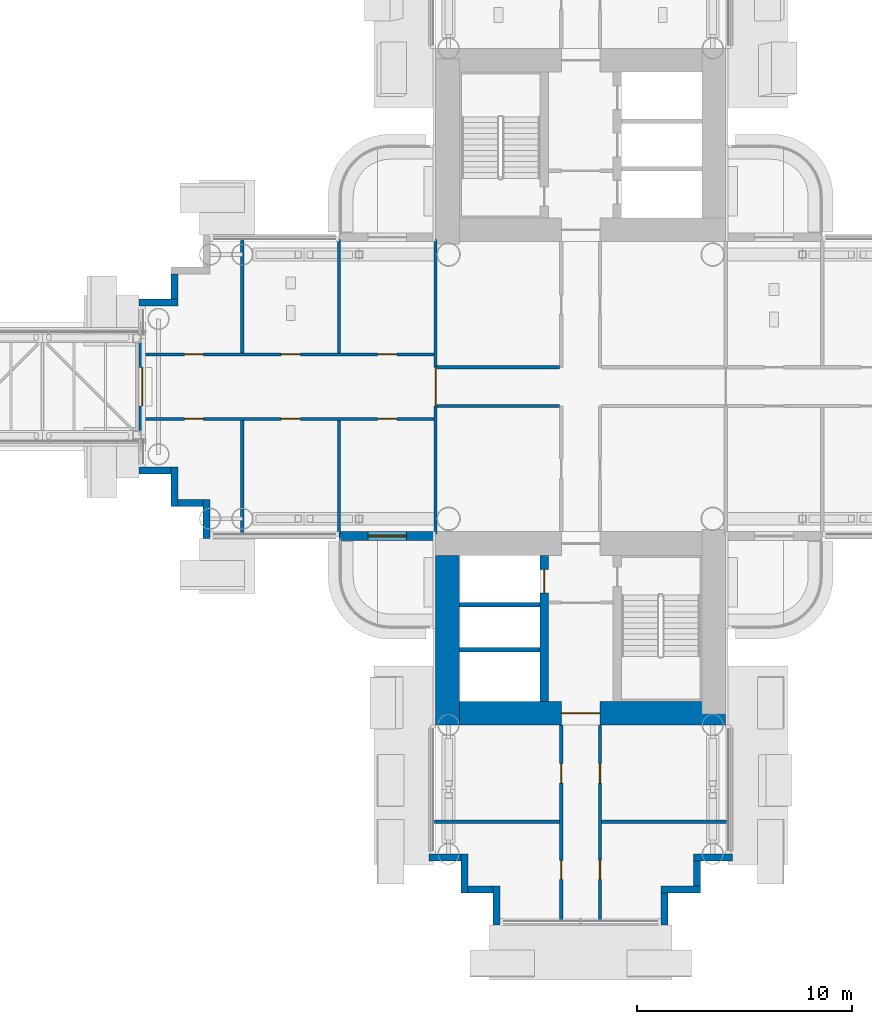
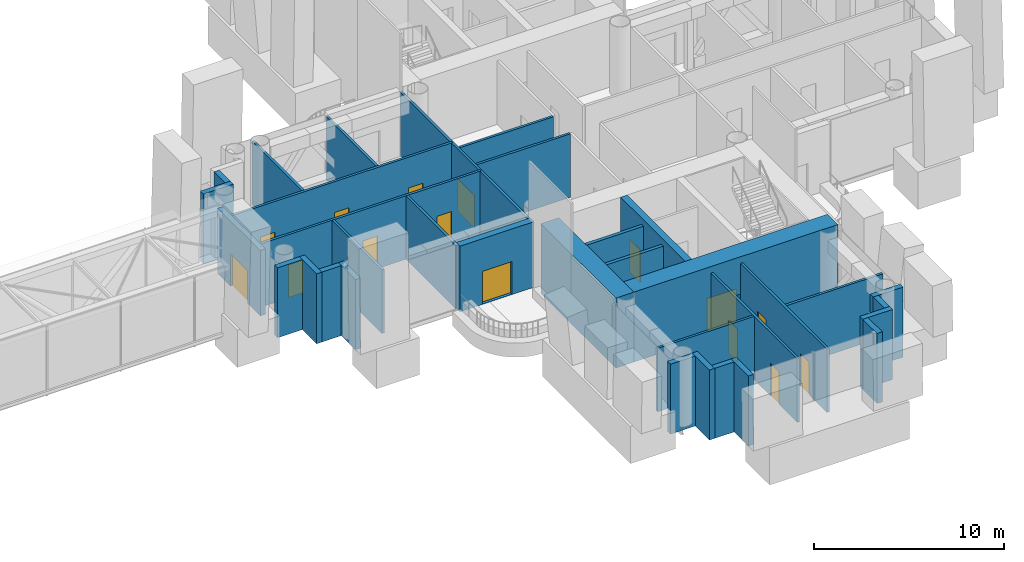
# One storey, part 16 of 27: 34 walls, 15 doors, 15 openings.
"""IFC4 building model written with IfcOpenShell, lengths in metres."""

from ifc_helpers import new_model, si_unit, direction, frame, frame_2d, origin, place, context, subcontext, project, spatial, rectangle, extrude, material, layer, layer_set, type_object, element, fill, save


model = new_model("IFC4")

# Units and contexts
model_context = context("Model", 3, precision=1e-05, world=origin(), true_north=direction((0.0, 1.0)))
body_context = subcontext(model_context, "Body", "Model", "MODEL_VIEW")
ifc_project = project(units=[si_unit("LENGTHUNIT", "METRE"), si_unit("AREAUNIT", "SQUARE_METRE"), si_unit("VOLUMEUNIT", "CUBIC_METRE"), si_unit("PLANEANGLEUNIT", "RADIAN"), si_unit("MASSUNIT", "GRAM", prefix="KILO")], contexts=[model_context])

# Site, building, storey
site_placement = place(None, origin())
site = spatial("IfcSite", under=ifc_project, at=site_placement, CompositionType="ELEMENT")
building_placement = place(site_placement, origin())
building = spatial("IfcBuilding", under=site, at=building_placement, Name="Ipe Terrace Towers", CompositionType="ELEMENT")
storey_placement = place(building_placement, frame((0.0, 0.0, 72.10009765625)))
storey = spatial("IfcBuildingStorey", under=building, at=storey_placement, Name="L19", CompositionType="ELEMENT", Elevation=72.10009765625)

# Wall, opening, door
ifc_material_1 = material(Name="Concrete C40/50 with buff precast cladding", Category="concrete")
ifc_layer_1 = layer(ifc_material_1, 0.39990234375)
ifc_layer_set_1 = layer_set([ifc_layer_1], Name="BALCONY BAY WALL 400")
wall_type_1 = type_object("IfcWallType", Name="BALCONY BAY WALL 400", PredefinedType="STANDARD", material=ifc_layer_set_1)
wall_1_placement = place(storey_placement, frame((24.75, -6.949951171875, -0.02001953125), z_axis=(0.0, 0.0, 1.0), x_axis=(1.0, 0.0, 0.0)))
wall_1 = element("IfcWall", 1, at=wall_1_placement, inside=storey, type_object=wall_type_1, Name="T2-W-L19-44a wall", PredefinedType="STANDARD", context=body_context, shape_type="SweptSolid", body=[
    extrude(rectangle(XDim=4.5, YDim=0.39990234375, at=frame_2d((2.25, 0.0))), origin(), (0.0, 0.0, 1.0), 4.219970703125),
])
opening_1_placement = place(wall_1_placement, frame((1.35009765625, 0.0, 0.02001953125)))
opening_1 = element("IfcOpeningElement", 2, at=opening_1_placement, cuts=wall_1, Name="Opening T2-D-L19-44", PredefinedType="OPENING", context=body_context, shape_type="SweptSolid", body=[
    extrude(rectangle(XDim=1.800048828125, YDim=2.10009765625, at=frame_2d((0.89990234375, 1.050048828125))), frame((0.0, 0.2099609375, 0.0), z_axis=(0.0, -1.0, 0.0), x_axis=(1.0, 0.0, 0.0)), (0.0, 0.0, 1.0), 0.419921875),
])
ifc_material_2 = material(Name="Aluminium alloy 6063-T6 framed glazed door", Category="aluminium")
door_type_1 = type_object("IfcDoorType", Name="BALCONY DOOR 1800 x 2100 RIGHT", OperationType="SINGLE_SWING_RIGHT", PredefinedType="DOOR", material=ifc_material_2)
door_1_placement = place(opening_1_placement, origin())
door_1 = element("IfcDoor", 3, at=door_1_placement, inside=storey, type_object=door_type_1, Name="DB2 door", OperationType="SINGLE_SWING_RIGHT", OverallHeight=2.10009765625, OverallWidth=1.800048828125, PredefinedType="DOOR", context=body_context, shape_type="SweptSolid", body=[
    extrude(rectangle(XDim=1.800048828125, YDim=2.10009765625, at=frame_2d((0.89990234375, 1.050048828125))), frame((0.0, 0.02490234375, 0.0), z_axis=(0.0, -1.0, 0.0), x_axis=(1.0, 0.0, 0.0)), (0.0, 0.0, 1.0), 0.050048828125),
])
fill(opening_1, door_1)

# Walls
ifc_material_3 = material(Name="Concrete C40/50 with buff precast cladding", Category="concrete")
ifc_layer_2 = layer(ifc_material_3, 0.320068359375)
ifc_layer_set_2 = layer_set([ifc_layer_2], Name="BUFF CLADDING WALL 320")
wall_type_2 = type_object("IfcWallType", Name="BUFF CLADDING WALL 320", PredefinedType="STANDARD", material=ifc_layer_set_2)
wall_2_placement = place(storey_placement, frame((39.909912109375, -25.070068359375, -0.300048828125), z_axis=(0.0, 0.0, 1.0), x_axis=(0.0, 1.0, 0.0)))
element("IfcWall", 4, at=wall_2_placement, inside=storey, type_object=wall_type_2, Name="T2-W-L19-00a wall", PredefinedType="STANDARD", context=body_context, shape_type="SweptSolid", body=[
    extrude(rectangle(XDim=1.5, YDim=0.320068359375, at=frame_2d((0.75, 0.0))), origin(), (0.0, 0.0, 1.0), 4.5),
])
wall_3_placement = place(storey_placement, frame((39.75, -23.409912109375, -0.300048828125), z_axis=(0.0, 0.0, 1.0), x_axis=(1.0, 0.0, 0.0)))
element("IfcWall", 5, at=wall_3_placement, inside=storey, type_object=wall_type_2, Name="T2-W-L19-01a wall", PredefinedType="STANDARD", context=body_context, shape_type="SweptSolid", body=[
    extrude(rectangle(XDim=1.820068359375, YDim=0.320068359375, at=frame_2d((0.91015625, 0.0))), origin(), (0.0, 0.0, 1.0), 4.5),
])
wall_4_placement = place(storey_placement, frame((41.409912109375, -23.25, -0.300048828125), z_axis=(0.0, 0.0, 1.0), x_axis=(0.0, 1.0, 0.0)))
element("IfcWall", 6, at=wall_4_placement, inside=storey, type_object=wall_type_2, Name="T2-W-L19-02a wall", PredefinedType="STANDARD", context=body_context, shape_type="SweptSolid", body=[
    extrude(rectangle(XDim=1.179931640625, YDim=0.320068359375, at=frame_2d((0.58984375, 0.0))), origin(), (0.0, 0.0, 1.0), 4.5),
])
wall_5_placement = place(storey_placement, frame((41.25, -21.909912109375, -0.300048828125), z_axis=(0.0, 0.0, 1.0), x_axis=(1.0, 0.0, 0.0)))
element("IfcWall", 7, at=wall_5_placement, inside=storey, type_object=wall_type_2, Name="T2-W-L19-03a wall", PredefinedType="STANDARD", context=body_context, shape_type="SweptSolid", body=[
    extrude(rectangle(XDim=1.820068359375, YDim=0.320068359375, at=frame_2d((0.91015625, 0.0))), origin(), (0.0, 0.0, 1.0), 4.5),
])
wall_6_placement = place(storey_placement, frame((17.090087890625, 5.25, -0.300048828125), z_axis=(0.0, 0.0, 1.0), x_axis=(0.0, -1.0, 0.0)))
element("IfcWall", 8, at=wall_6_placement, inside=storey, type_object=wall_type_2, Name="T2-W-L19-36a wall", PredefinedType="STANDARD", context=body_context, shape_type="SweptSolid", body=[
    extrude(rectangle(XDim=1.179931640625, YDim=0.320068359375, at=frame_2d((0.58984375, 0.0))), origin(), (0.0, 0.0, 1.0), 4.5),
])
wall_7_placement = place(storey_placement, frame((17.25, 3.909912109375, -0.300048828125), z_axis=(0.0, 0.0, 1.0), x_axis=(-1.0, 0.0, 0.0)))
element("IfcWall", 9, at=wall_7_placement, inside=storey, type_object=wall_type_2, Name="T2-W-L19-37a wall", PredefinedType="STANDARD", context=body_context, shape_type="SweptSolid", body=[
    extrude(rectangle(XDim=1.820068359375, YDim=0.320068359375, at=frame_2d((0.91015625, 0.0))), origin(), (0.0, 0.0, 1.0), 4.5),
])

# Wall, opening, door
wall_8_placement = place(storey_placement, frame((15.590087890625, 2.25, 0.0), z_axis=(0.0, 0.0, 1.0), x_axis=(0.0, -1.0, 0.0)))
wall_8 = element("IfcWall", 10, at=wall_8_placement, inside=storey, type_object=wall_type_2, Name="T2-W-L19-38b wall", PredefinedType="STANDARD", context=body_context, shape_type="SweptSolid", body=[
    extrude(rectangle(XDim=4.5, YDim=0.320068359375, at=frame_2d((2.25, 0.0))), origin(), (0.0, 0.0, 1.0), 4.199951171875),
])
opening_2_placement = place(wall_8_placement, frame((1.35009765625, 0.0, 0.0)))
opening_2 = element("IfcOpeningElement", 11, at=opening_2_placement, cuts=wall_8, Name="Opening T2-D-L19-38", PredefinedType="OPENING", context=body_context, shape_type="SweptSolid", body=[
    extrude(rectangle(XDim=1.800048828125, YDim=2.10009765625, at=frame_2d((0.89990234375, 1.050048828125))), frame((0.0, 0.169921875, 0.0), z_axis=(0.0, -1.0, 0.0), x_axis=(1.0, 0.0, 0.0)), (0.0, 0.0, 1.0), 0.340087890625),
])
ifc_material_4 = material(Name="Steel S235 fire door", Category="steel")
door_type_2 = type_object("IfcDoorType", Name="BRIDGE FIRE DOOR 1800 x 2100", OperationType="DOUBLE_DOOR_SINGLE_SWING", PredefinedType="DOOR", material=ifc_material_4)
door_2_placement = place(opening_2_placement, origin())
door_2 = element("IfcDoor", 12, at=door_2_placement, inside=storey, type_object=door_type_2, Name="DF1 door", OperationType="DOUBLE_DOOR_SINGLE_SWING", OverallHeight=2.10009765625, OverallWidth=1.800048828125, PredefinedType="DOOR", context=body_context, shape_type="SweptSolid", body=[
    extrude(rectangle(XDim=1.800048828125, YDim=2.10009765625, at=frame_2d((0.89990234375, 1.050048828125))), frame((0.0, 0.02490234375, 0.0), z_axis=(0.0, -1.0, 0.0), x_axis=(1.0, 0.0, 0.0)), (0.0, 0.0, 1.0), 0.050048828125),
])
fill(opening_2, door_2)

# Walls
wall_9_placement = place(storey_placement, frame((15.429931640625, -3.909912109375, -0.300048828125), z_axis=(0.0, 0.0, 1.0), x_axis=(1.0, 0.0, 0.0)))
element("IfcWall", 13, at=wall_9_placement, inside=storey, type_object=wall_type_2, Name="T2-W-L19-39a wall", PredefinedType="STANDARD", context=body_context, shape_type="SweptSolid", body=[
    extrude(rectangle(XDim=1.5, YDim=0.320068359375, at=frame_2d((0.75, 0.0))), origin(), (0.0, 0.0, 1.0), 4.5),
])
wall_10_placement = place(storey_placement, frame((17.090087890625, -3.75, -0.300048828125), z_axis=(0.0, 0.0, 1.0), x_axis=(0.0, -1.0, 0.0)))
element("IfcWall", 14, at=wall_10_placement, inside=storey, type_object=wall_type_2, Name="T2-W-L19-40a wall", PredefinedType="STANDARD", context=body_context, shape_type="SweptSolid", body=[
    extrude(rectangle(XDim=1.820068359375, YDim=0.320068359375, at=frame_2d((0.91015625, 0.0))), origin(), (0.0, 0.0, 1.0), 4.5),
])
wall_11_placement = place(storey_placement, frame((17.25, -5.409912109375, -0.300048828125), z_axis=(0.0, 0.0, 1.0), x_axis=(1.0, 0.0, 0.0)))
element("IfcWall", 15, at=wall_11_placement, inside=storey, type_object=wall_type_2, Name="T2-W-L19-41a wall", PredefinedType="STANDARD", context=body_context, shape_type="SweptSolid", body=[
    extrude(rectangle(XDim=1.179931640625, YDim=0.320068359375, at=frame_2d((0.58984375, 0.0))), origin(), (0.0, 0.0, 1.0), 4.5),
])
wall_12_placement = place(storey_placement, frame((18.590087890625, -5.25, -0.300048828125), z_axis=(0.0, 0.0, 1.0), x_axis=(0.0, -1.0, 0.0)))
element("IfcWall", 16, at=wall_12_placement, inside=storey, type_object=wall_type_2, Name="T2-W-L19-42a wall", PredefinedType="STANDARD", context=body_context, shape_type="SweptSolid", body=[
    extrude(rectangle(XDim=1.820068359375, YDim=0.320068359375, at=frame_2d((0.91015625, 0.0))), origin(), (0.0, 0.0, 1.0), 4.5),
])
wall_13_placement = place(storey_placement, frame((28.929931640625, -21.909912109375, -0.300048828125), z_axis=(0.0, 0.0, 1.0), x_axis=(1.0, 0.0, 0.0)))
element("IfcWall", 17, at=wall_13_placement, inside=storey, type_object=wall_type_2, Name="T2-W-L19-47a wall", PredefinedType="STANDARD", context=body_context, shape_type="SweptSolid", body=[
    extrude(rectangle(XDim=1.5, YDim=0.320068359375, at=frame_2d((0.75, 0.0))), origin(), (0.0, 0.0, 1.0), 4.5),
])
wall_14_placement = place(storey_placement, frame((30.590087890625, -21.75, -0.300048828125), z_axis=(0.0, 0.0, 1.0), x_axis=(0.0, -1.0, 0.0)))
element("IfcWall", 18, at=wall_14_placement, inside=storey, type_object=wall_type_2, Name="T2-W-L19-48a wall", PredefinedType="STANDARD", context=body_context, shape_type="SweptSolid", body=[
    extrude(rectangle(XDim=1.820068359375, YDim=0.320068359375, at=frame_2d((0.91015625, 0.0))), origin(), (0.0, 0.0, 1.0), 4.5),
])
wall_15_placement = place(storey_placement, frame((30.75, -23.409912109375, -0.300048828125), z_axis=(0.0, 0.0, 1.0), x_axis=(1.0, 0.0, 0.0)))
element("IfcWall", 19, at=wall_15_placement, inside=storey, type_object=wall_type_2, Name="T2-W-L19-49a wall", PredefinedType="STANDARD", context=body_context, shape_type="SweptSolid", body=[
    extrude(rectangle(XDim=1.179931640625, YDim=0.320068359375, at=frame_2d((0.58984375, 0.0))), origin(), (0.0, 0.0, 1.0), 4.5),
])
wall_16_placement = place(storey_placement, frame((32.090087890625, -23.25, -0.300048828125), z_axis=(0.0, 0.0, 1.0), x_axis=(0.0, -1.0, 0.0)))
element("IfcWall", 20, at=wall_16_placement, inside=storey, type_object=wall_type_2, Name="T2-W-L19-50a wall", PredefinedType="STANDARD", context=body_context, shape_type="SweptSolid", body=[
    extrude(rectangle(XDim=1.820068359375, YDim=0.320068359375, at=frame_2d((0.91015625, 0.0))), origin(), (0.0, 0.0, 1.0), 4.5),
])
ifc_material_5 = material(Name="Gypsum board partition", Category="plasterboard")
ifc_layer_3 = layer(ifc_material_5, 0.14990234375)
ifc_layer_set_3 = layer_set([ifc_layer_3], Name="Gypsum board partition 150 mm")
wall_type_3 = type_object("IfcWallType", Name="Gypsum board partition 150 mm", PredefinedType="PARTITIONING", material=ifc_layer_set_3)
for number, where, z_axis, x_axis, name in (
    (21, (35.02490234375, 0.89990234375, 0.0), (0.0, 0.0, 1.0), (-1.0, 0.0, 0.0), "Gypsum board partition T2 L19 sp-hub-qen-y"),
    (22, (35.02490234375, -0.89990234375, 0.0), (0.0, 0.0, 1.0), (-1.0, 0.0, 0.0), "Gypsum board partition T2 L19 sp-hub-qwn-y"),
):
    element("IfcWall", number, at=place(storey_placement, frame(where, z_axis=z_axis, x_axis=x_axis)), inside=storey, type_object=wall_type_3, Name=name, PredefinedType="PARTITIONING", context=body_context, shape_type="SweptSolid", body=[
        extrude(rectangle(XDim=5.699951171875, YDim=0.14990234375, at=frame_2d((2.85009765625, 0.0))), origin(), (0.0, 0.0, 1.0), 4.079833984375),
    ])

# Wall, openings, doors
wall_17_placement = place(storey_placement, frame((35.10009765625, -24.85009765625, 0.0), z_axis=(0.0, 0.0, 1.0), x_axis=(0.0, 1.0, 0.0)))
wall_17 = element("IfcWall", 23, at=wall_17_placement, inside=storey, type_object=wall_type_3, Name="Gypsum board partition T2 L19 sp-Lm-wp", PredefinedType="PARTITIONING", context=body_context, shape_type="SweptSolid", body=[
    extrude(rectangle(XDim=9.10009765625, YDim=0.14990234375, at=frame_2d((4.550048828125, 0.0))), origin(), (0.0, 0.0, 1.0), 4.079833984375),
])
opening_3_placement = place(wall_17_placement, frame((1.89990234375, 0.0, 0.0)))
opening_3 = element("IfcOpeningElement", 24, at=opening_3_placement, cuts=wall_17, Name="Opening T2-SP-PLm1", PredefinedType="OPENING", context=body_context, shape_type="SweptSolid", body=[
    extrude(rectangle(XDim=0.89990234375, YDim=2.10009765625, at=frame_2d((0.449951171875, 1.050048828125))), frame((0.0, 0.0849609375, 0.0), z_axis=(0.0, -1.0, 0.0), x_axis=(1.0, 0.0, 0.0)), (0.0, 0.0, 1.0), 0.169921875),
])
opening_4_placement = place(wall_17_placement, frame((6.39990234375, 0.0, 0.0)))
opening_4 = element("IfcOpeningElement", 25, at=opening_4_placement, cuts=wall_17, Name="Opening T2-SP-PLm2", PredefinedType="OPENING", context=body_context, shape_type="SweptSolid", body=[
    extrude(rectangle(XDim=0.89990234375, YDim=2.10009765625, at=frame_2d((0.449951171875, 1.050048828125))), frame((0.0, 0.0849609375, 0.0), z_axis=(0.0, -1.0, 0.0), x_axis=(1.0, 0.0, 0.0)), (0.0, 0.0, 1.0), 0.169921875),
])
ifc_material_6 = material(Name="Fire-rated timber door leaf", Category="wood")
door_type_3 = type_object("IfcDoorType", Name="Lounge door 900 x 2100 FD30S", OperationType="NOTDEFINED", PredefinedType="DOOR", material=ifc_material_6)
door_3_placement = place(opening_3_placement, origin())
door_3 = element("IfcDoor", 26, at=door_3_placement, inside=storey, type_object=door_type_3, Name="Lounge door T2-SP-PLm1", OperationType="SINGLE_SWING_RIGHT", OverallHeight=2.10009765625, OverallWidth=0.89990234375, PredefinedType="DOOR", context=body_context, shape_type="SweptSolid", body=[
    extrude(rectangle(XDim=0.89990234375, YDim=2.10009765625, at=frame_2d((0.449951171875, 1.050048828125))), frame((0.0, 0.02490234375, 0.0), z_axis=(0.0, -1.0, 0.0), x_axis=(1.0, 0.0, 0.0)), (0.0, 0.0, 1.0), 0.050048828125),
])
fill(opening_3, door_3)
door_4_placement = place(opening_4_placement, origin())
door_4 = element("IfcDoor", 27, at=door_4_placement, inside=storey, type_object=door_type_3, Name="Lounge door T2-SP-PLm2", OperationType="SINGLE_SWING_LEFT", OverallHeight=2.10009765625, OverallWidth=0.89990234375, PredefinedType="DOOR", context=body_context, shape_type="SweptSolid", body=[
    extrude(rectangle(XDim=0.89990234375, YDim=2.10009765625, at=frame_2d((0.449951171875, 1.050048828125))), frame((0.0, 0.02490234375, 0.0), z_axis=(0.0, -1.0, 0.0), x_axis=(1.0, 0.0, 0.0)), (0.0, 0.0, 1.0), 0.050048828125),
])
fill(opening_4, door_4)

# Wall
wall_18_placement = place(storey_placement, frame((35.02490234375, -20.25, 0.0), z_axis=(0.0, 0.0, 1.0), x_axis=(-1.0, 0.0, 0.0)))
element("IfcWall", 28, at=wall_18_placement, inside=storey, type_object=wall_type_3, Name="Gypsum board partition T2 L19 sp-Lm-dp1", PredefinedType="PARTITIONING", context=body_context, shape_type="SweptSolid", body=[
    extrude(rectangle(XDim=5.875, YDim=0.14990234375, at=frame_2d((2.9375, 0.0))), origin(), (0.0, 0.0, 1.0), 4.079833984375),
])

# Wall, openings, doors
wall_19_placement = place(storey_placement, frame((36.89990234375, -24.85009765625, 0.0), z_axis=(0.0, 0.0, 1.0), x_axis=(0.0, 1.0, 0.0)))
wall_19 = element("IfcWall", 29, at=wall_19_placement, inside=storey, type_object=wall_type_3, Name="Gypsum board partition T2 L19 sp-Lm-wm", PredefinedType="PARTITIONING", context=body_context, shape_type="SweptSolid", body=[
    extrude(rectangle(XDim=9.10009765625, YDim=0.14990234375, at=frame_2d((4.550048828125, 0.0))), origin(), (0.0, 0.0, 1.0), 4.079833984375),
])
opening_5_placement = place(wall_19_placement, frame((1.89990234375, 0.0, 0.0)))
opening_5 = element("IfcOpeningElement", 30, at=opening_5_placement, cuts=wall_19, Name="Opening T2-SP-MLm1", PredefinedType="OPENING", context=body_context, shape_type="SweptSolid", body=[
    extrude(rectangle(XDim=0.89990234375, YDim=2.10009765625, at=frame_2d((0.449951171875, 1.050048828125))), frame((0.0, 0.0849609375, 0.0), z_axis=(0.0, -1.0, 0.0), x_axis=(1.0, 0.0, 0.0)), (0.0, 0.0, 1.0), 0.169921875),
])
opening_6_placement = place(wall_19_placement, frame((6.39990234375, 0.0, 0.0)))
opening_6 = element("IfcOpeningElement", 31, at=opening_6_placement, cuts=wall_19, Name="Opening T2-SP-MLm2", PredefinedType="OPENING", context=body_context, shape_type="SweptSolid", body=[
    extrude(rectangle(XDim=0.89990234375, YDim=2.10009765625, at=frame_2d((0.449951171875, 1.050048828125))), frame((0.0, 0.0849609375, 0.0), z_axis=(0.0, -1.0, 0.0), x_axis=(1.0, 0.0, 0.0)), (0.0, 0.0, 1.0), 0.169921875),
])
door_5_placement = place(opening_5_placement, origin())
door_5 = element("IfcDoor", 32, at=door_5_placement, inside=storey, type_object=door_type_3, Name="Lounge door T2-SP-MLm1", OperationType="SINGLE_SWING_LEFT", OverallHeight=2.10009765625, OverallWidth=0.89990234375, PredefinedType="DOOR", context=body_context, shape_type="SweptSolid", body=[
    extrude(rectangle(XDim=0.89990234375, YDim=2.10009765625, at=frame_2d((0.449951171875, 1.050048828125))), frame((0.0, 0.02490234375, 0.0), z_axis=(0.0, -1.0, 0.0), x_axis=(1.0, 0.0, 0.0)), (0.0, 0.0, 1.0), 0.050048828125),
])
fill(opening_5, door_5)
door_6_placement = place(opening_6_placement, origin())
door_6 = element("IfcDoor", 33, at=door_6_placement, inside=storey, type_object=door_type_3, Name="Lounge door T2-SP-MLm2", OperationType="SINGLE_SWING_RIGHT", OverallHeight=2.10009765625, OverallWidth=0.89990234375, PredefinedType="DOOR", context=body_context, shape_type="SweptSolid", body=[
    extrude(rectangle(XDim=0.89990234375, YDim=2.10009765625, at=frame_2d((0.449951171875, 1.050048828125))), frame((0.0, 0.02490234375, 0.0), z_axis=(0.0, -1.0, 0.0), x_axis=(1.0, 0.0, 0.0)), (0.0, 0.0, 1.0), 0.050048828125),
])
fill(opening_6, door_6)

# Wall
wall_20_placement = place(storey_placement, frame((36.97509765625, -20.25, 0.0), z_axis=(0.0, 0.0, 1.0), x_axis=(1.0, 0.0, 0.0)))
element("IfcWall", 34, at=wall_20_placement, inside=storey, type_object=wall_type_3, Name="Gypsum board partition T2 L19 sp-Lm-dm1", PredefinedType="PARTITIONING", context=body_context, shape_type="SweptSolid", body=[
    extrude(rectangle(XDim=5.875, YDim=0.14990234375, at=frame_2d((2.9375, 0.0))), origin(), (0.0, 0.0, 1.0), 4.079833984375),
])

# Wall, opening, door
wall_21_placement = place(storey_placement, frame((29.25, -6.85009765625, 0.0), z_axis=(0.0, 0.0, 1.0), x_axis=(0.0, 1.0, 0.0)))
wall_21 = element("IfcWall", 35, at=wall_21_placement, inside=storey, type_object=wall_type_3, Name="Gypsum board partition T2 L19 sp-Sp-mouth", PredefinedType="PARTITIONING", context=body_context, shape_type="SweptSolid", body=[
    extrude(rectangle(XDim=13.7001953125, YDim=0.14990234375, at=frame_2d((6.85009765625, 0.0))), origin(), (0.0, 0.0, 1.0), 4.079833984375),
])
opening_7_placement = place(wall_21_placement, frame((5.949951171875, 0.0, 0.0)))
opening_7 = element("IfcOpeningElement", 36, at=opening_7_placement, cuts=wall_21, Name="Opening T2-SP-MSp", PredefinedType="OPENING", context=body_context, shape_type="SweptSolid", body=[
    extrude(rectangle(XDim=1.800048828125, YDim=2.10009765625, at=frame_2d((0.89990234375, 1.050048828125))), frame((0.0, 0.0849609375, 0.0), z_axis=(0.0, -1.0, 0.0), x_axis=(1.0, 0.0, 0.0)), (0.0, 0.0, 1.0), 0.169921875),
])
ifc_material_7 = material(Name="Fire-rated timber door leaf", Category="wood")
door_type_4 = type_object("IfcDoorType", Name="Lobby door 1800 x 2100 FD30S", OperationType="NOTDEFINED", PredefinedType="DOOR", material=ifc_material_7)
door_7_placement = place(opening_7_placement, origin())
door_7 = element("IfcDoor", 37, at=door_7_placement, inside=storey, type_object=door_type_4, Name="Lobby door T2-SP-MSp", OperationType="SINGLE_SWING_LEFT", OverallHeight=2.10009765625, OverallWidth=1.800048828125, PredefinedType="DOOR", context=body_context, shape_type="SweptSolid", body=[
    extrude(rectangle(XDim=1.800048828125, YDim=2.10009765625, at=frame_2d((0.89990234375, 1.050048828125))), frame((0.0, 0.02490234375, 0.0), z_axis=(0.0, -1.0, 0.0), x_axis=(1.0, 0.0, 0.0)), (0.0, 0.0, 1.0), 0.050048828125),
])
fill(opening_7, door_7)

# Wall, openings, doors
wall_22_placement = place(storey_placement, frame((29.25, 1.5, 0.0), z_axis=(0.0, 0.0, 1.0), x_axis=(-1.0, 0.0, 0.0)))
wall_22 = element("IfcWall", 38, at=wall_22_placement, inside=storey, type_object=wall_type_3, Name="Gypsum board partition T2 L19 sp-Sp-wp", PredefinedType="PARTITIONING", context=body_context, shape_type="SweptSolid", body=[
    extrude(rectangle(XDim=13.60009765625, YDim=0.14990234375, at=frame_2d((6.800048828125, 0.0))), origin(), (0.0, 0.0, 1.0), 4.079833984375),
])
opening_8_placement = place(wall_22_placement, frame((1.800048828125, 0.0, 0.0)))
opening_8 = element("IfcOpeningElement", 39, at=opening_8_placement, cuts=wall_22, Name="Opening T2-SP-PSp1", PredefinedType="OPENING", context=body_context, shape_type="SweptSolid", body=[
    extrude(rectangle(XDim=0.89990234375, YDim=2.10009765625, at=frame_2d((0.449951171875, 1.050048828125))), frame((0.0, 0.0849609375, 0.0), z_axis=(0.0, -1.0, 0.0), x_axis=(1.0, 0.0, 0.0)), (0.0, 0.0, 1.0), 0.169921875),
])
opening_9_placement = place(wall_22_placement, frame((6.300048828125, 0.0, 0.0)))
opening_9 = element("IfcOpeningElement", 40, at=opening_9_placement, cuts=wall_22, Name="Opening T2-SP-PSp2", PredefinedType="OPENING", context=body_context, shape_type="SweptSolid", body=[
    extrude(rectangle(XDim=0.89990234375, YDim=2.10009765625, at=frame_2d((0.449951171875, 1.050048828125))), frame((0.0, 0.0849609375, 0.0), z_axis=(0.0, -1.0, 0.0), x_axis=(1.0, 0.0, 0.0)), (0.0, 0.0, 1.0), 0.169921875),
])
opening_10_placement = place(wall_22_placement, frame((10.800048828125, 0.0, 0.0)))
opening_10 = element("IfcOpeningElement", 41, at=opening_10_placement, cuts=wall_22, Name="Opening T2-SP-PSp3", PredefinedType="OPENING", context=body_context, shape_type="SweptSolid", body=[
    extrude(rectangle(XDim=0.89990234375, YDim=2.10009765625, at=frame_2d((0.449951171875, 1.050048828125))), frame((0.0, 0.0849609375, 0.0), z_axis=(0.0, -1.0, 0.0), x_axis=(1.0, 0.0, 0.0)), (0.0, 0.0, 1.0), 0.169921875),
])
ifc_material_8 = material(Name="Timber door leaf", Category="wood")
door_type_5 = type_object("IfcDoorType", Name="Lounge door 900 x 2100", OperationType="NOTDEFINED", PredefinedType="DOOR", material=ifc_material_8)
door_8_placement = place(opening_9_placement, origin())
door_8 = element("IfcDoor", 42, at=door_8_placement, inside=storey, type_object=door_type_5, Name="Lounge door T2-SP-PSp2", OperationType="SINGLE_SWING_RIGHT", OverallHeight=2.10009765625, OverallWidth=0.89990234375, PredefinedType="DOOR", context=body_context, shape_type="SweptSolid", body=[
    extrude(rectangle(XDim=0.89990234375, YDim=2.10009765625, at=frame_2d((0.449951171875, 1.050048828125))), frame((0.0, 0.02490234375, 0.0), z_axis=(0.0, -1.0, 0.0), x_axis=(1.0, 0.0, 0.0)), (0.0, 0.0, 1.0), 0.050048828125),
])
fill(opening_9, door_8)
door_9_placement = place(opening_8_placement, origin())
door_9 = element("IfcDoor", 43, at=door_9_placement, inside=storey, type_object=door_type_3, Name="Lounge door T2-SP-PSp1", OperationType="SINGLE_SWING_LEFT", OverallHeight=2.10009765625, OverallWidth=0.89990234375, PredefinedType="DOOR", context=body_context, shape_type="SweptSolid", body=[
    extrude(rectangle(XDim=0.89990234375, YDim=2.10009765625, at=frame_2d((0.449951171875, 1.050048828125))), frame((0.0, 0.02490234375, 0.0), z_axis=(0.0, -1.0, 0.0), x_axis=(1.0, 0.0, 0.0)), (0.0, 0.0, 1.0), 0.050048828125),
])
fill(opening_8, door_9)
door_10_placement = place(opening_10_placement, origin())
door_10 = element("IfcDoor", 44, at=door_10_placement, inside=storey, type_object=door_type_3, Name="Lounge door T2-SP-PSp3", OperationType="SINGLE_SWING_LEFT", OverallHeight=2.10009765625, OverallWidth=0.89990234375, PredefinedType="DOOR", context=body_context, shape_type="SweptSolid", body=[
    extrude(rectangle(XDim=0.89990234375, YDim=2.10009765625, at=frame_2d((0.449951171875, 1.050048828125))), frame((0.0, 0.02490234375, 0.0), z_axis=(0.0, -1.0, 0.0), x_axis=(1.0, 0.0, 0.0)), (0.0, 0.0, 1.0), 0.050048828125),
])
fill(opening_10, door_10)

# Walls
for number, where, z_axis, x_axis, name in (
    (45, (24.75, 1.574951171875, 0.0), (0.0, 0.0, 1.0), (0.0, 1.0, 0.0), "Gypsum board partition T2 L19 sp-Sp-dp1"),
    (46, (20.25, 1.574951171875, 0.0), (0.0, 0.0, 1.0), (0.0, 1.0, 0.0), "Gypsum board partition T2 L19 sp-Sp-dp2"),
):
    element("IfcWall", number, at=place(storey_placement, frame(where, z_axis=z_axis, x_axis=x_axis)), inside=storey, type_object=wall_type_3, Name=name, PredefinedType="PARTITIONING", context=body_context, shape_type="SweptSolid", body=[
        extrude(rectangle(XDim=5.275146484375, YDim=0.14990234375, at=frame_2d((2.6376953125, 0.0))), origin(), (0.0, 0.0, 1.0), 4.079833984375),
    ])

# Wall, openings, doors
wall_23_placement = place(storey_placement, frame((29.25, -1.5, 0.0), z_axis=(0.0, 0.0, 1.0), x_axis=(-1.0, 0.0, 0.0)))
wall_23 = element("IfcWall", 47, at=wall_23_placement, inside=storey, type_object=wall_type_3, Name="Gypsum board partition T2 L19 sp-Sp-wm", PredefinedType="PARTITIONING", context=body_context, shape_type="SweptSolid", body=[
    extrude(rectangle(XDim=13.60009765625, YDim=0.14990234375, at=frame_2d((6.800048828125, 0.0))), origin(), (0.0, 0.0, 1.0), 4.079833984375),
])
opening_11_placement = place(wall_23_placement, frame((1.800048828125, 0.0, 0.0)))
opening_11 = element("IfcOpeningElement", 48, at=opening_11_placement, cuts=wall_23, Name="Opening T2-SP-MSp1", PredefinedType="OPENING", context=body_context, shape_type="SweptSolid", body=[
    extrude(rectangle(XDim=0.89990234375, YDim=2.10009765625, at=frame_2d((0.449951171875, 1.050048828125))), frame((0.0, 0.0849609375, 0.0), z_axis=(0.0, -1.0, 0.0), x_axis=(1.0, 0.0, 0.0)), (0.0, 0.0, 1.0), 0.169921875),
])
opening_12_placement = place(wall_23_placement, frame((6.300048828125, 0.0, 0.0)))
opening_12 = element("IfcOpeningElement", 49, at=opening_12_placement, cuts=wall_23, Name="Opening T2-SP-MSp2", PredefinedType="OPENING", context=body_context, shape_type="SweptSolid", body=[
    extrude(rectangle(XDim=0.89990234375, YDim=2.10009765625, at=frame_2d((0.449951171875, 1.050048828125))), frame((0.0, 0.0849609375, 0.0), z_axis=(0.0, -1.0, 0.0), x_axis=(1.0, 0.0, 0.0)), (0.0, 0.0, 1.0), 0.169921875),
])
opening_13_placement = place(wall_23_placement, frame((10.800048828125, 0.0, 0.0)))
opening_13 = element("IfcOpeningElement", 50, at=opening_13_placement, cuts=wall_23, Name="Opening T2-SP-MSp3", PredefinedType="OPENING", context=body_context, shape_type="SweptSolid", body=[
    extrude(rectangle(XDim=0.89990234375, YDim=2.10009765625, at=frame_2d((0.449951171875, 1.050048828125))), frame((0.0, 0.0849609375, 0.0), z_axis=(0.0, -1.0, 0.0), x_axis=(1.0, 0.0, 0.0)), (0.0, 0.0, 1.0), 0.169921875),
])
door_11_placement = place(opening_11_placement, origin())
door_11 = element("IfcDoor", 51, at=door_11_placement, inside=storey, type_object=door_type_3, Name="Lounge door T2-SP-MSp1", OperationType="SINGLE_SWING_RIGHT", OverallHeight=2.10009765625, OverallWidth=0.89990234375, PredefinedType="DOOR", context=body_context, shape_type="SweptSolid", body=[
    extrude(rectangle(XDim=0.89990234375, YDim=2.10009765625, at=frame_2d((0.449951171875, 1.050048828125))), frame((0.0, 0.02490234375, 0.0), z_axis=(0.0, -1.0, 0.0), x_axis=(1.0, 0.0, 0.0)), (0.0, 0.0, 1.0), 0.050048828125),
])
fill(opening_11, door_11)
door_12_placement = place(opening_12_placement, origin())
door_12 = element("IfcDoor", 52, at=door_12_placement, inside=storey, type_object=door_type_3, Name="Lounge door T2-SP-MSp2", OperationType="SINGLE_SWING_LEFT", OverallHeight=2.10009765625, OverallWidth=0.89990234375, PredefinedType="DOOR", context=body_context, shape_type="SweptSolid", body=[
    extrude(rectangle(XDim=0.89990234375, YDim=2.10009765625, at=frame_2d((0.449951171875, 1.050048828125))), frame((0.0, 0.02490234375, 0.0), z_axis=(0.0, -1.0, 0.0), x_axis=(1.0, 0.0, 0.0)), (0.0, 0.0, 1.0), 0.050048828125),
])
fill(opening_12, door_12)
door_13_placement = place(opening_13_placement, origin())
door_13 = element("IfcDoor", 53, at=door_13_placement, inside=storey, type_object=door_type_3, Name="Lounge door T2-SP-MSp3", OperationType="SINGLE_SWING_RIGHT", OverallHeight=2.10009765625, OverallWidth=0.89990234375, PredefinedType="DOOR", context=body_context, shape_type="SweptSolid", body=[
    extrude(rectangle(XDim=0.89990234375, YDim=2.10009765625, at=frame_2d((0.449951171875, 1.050048828125))), frame((0.0, 0.02490234375, 0.0), z_axis=(0.0, -1.0, 0.0), x_axis=(1.0, 0.0, 0.0)), (0.0, 0.0, 1.0), 0.050048828125),
])
fill(opening_13, door_13)

# Walls
for number, where, z_axis, x_axis, name in (
    (54, (24.75, -1.574951171875, 0.0), (0.0, 0.0, 1.0), (0.0, -1.0, 0.0), "Gypsum board partition T2 L19 sp-Sp-dm1"),
    (55, (20.25, -1.574951171875, 0.0), (0.0, 0.0, 1.0), (0.0, -1.0, 0.0), "Gypsum board partition T2 L19 sp-Sp-dm2"),
):
    element("IfcWall", number, at=place(storey_placement, frame(where, z_axis=z_axis, x_axis=x_axis)), inside=storey, type_object=wall_type_3, Name=name, PredefinedType="PARTITIONING", context=body_context, shape_type="SweptSolid", body=[
        extrude(rectangle(XDim=5.275146484375, YDim=0.14990234375, at=frame_2d((2.6376953125, 0.0))), origin(), (0.0, 0.0, 1.0), 4.079833984375),
    ])
ifc_material_9 = material(Name="Gypsum board party wall", Category="plasterboard")
ifc_layer_4 = layer(ifc_material_9, 0.199951171875)
ifc_layer_set_4 = layer_set([ifc_layer_4], Name="Gypsum board party wall 200 mm")
wall_type_4 = type_object("IfcWallType", Name="Gypsum board party wall 200 mm", PredefinedType="SOLIDWALL", material=ifc_layer_set_4)
for number, where, z_axis, x_axis, name in (
    (56, (30.35009765625, -10.14990234375, 0.0), (0.0, 0.0, 1.0), (1.0, 0.0, 0.0), "Gypsum board party wall T2 L19 t2c2-shaft-div1"),
    (57, (30.35009765625, -12.25, 0.0), (0.0, 0.0, 1.0), (1.0, 0.0, 0.0), "Gypsum board party wall T2 L19 t2c2-shaft-div2"),
):
    element("IfcWall", number, at=place(storey_placement, frame(where, z_axis=z_axis, x_axis=x_axis)), inside=storey, type_object=wall_type_4, Name=name, PredefinedType="SOLIDWALL", context=body_context, shape_type="SweptSolid", body=[
        extrude(rectangle(XDim=3.75, YDim=0.199951171875, at=frame_2d((1.875, 0.0))), origin(), (0.0, 0.0, 1.0), 4.079833984375),
    ])

# Wall, opening, door
ifc_material_10 = material(Name="Concrete C60/75", Category="concrete")
ifc_layer_5 = layer(ifc_material_10, 1.10009765625)
ifc_layer_set_5 = layer_set([ifc_layer_5], Name="RW1100 CORE WALL 1100 C60-75")
wall_type_5 = type_object("IfcWallType", Name="RW1100 CORE WALL 1100 C60-75", PredefinedType="SHEAR", material=ifc_layer_set_5)
wall_24_placement = place(storey_placement, frame((30.35009765625, -15.199951171875, 0.0), z_axis=(0.0, 0.0, 1.0), x_axis=(1.0, 0.0, 0.0)))
wall_24 = element("IfcWall", 58, at=wall_24_placement, inside=storey, type_object=wall_type_5, Name="Core wall T2-C2-Z1-W01", PredefinedType="SHEAR", context=body_context, shape_type="SweptSolid", body=[
    extrude(rectangle(XDim=12.39990234375, YDim=1.10009765625, at=frame_2d((6.199951171875, 0.0))), origin(), (0.0, 0.0, 1.0), 4.5),
])
opening_14_placement = place(wall_24_placement, frame((4.75, 0.0, 0.0)))
opening_14 = element("IfcOpeningElement", 59, at=opening_14_placement, cuts=wall_24, Name="Opening T2C2-FD", PredefinedType="OPENING", context=body_context, shape_type="SweptSolid", body=[
    extrude(rectangle(XDim=1.800048828125, YDim=2.10009765625, at=frame_2d((0.89990234375, 1.050048828125))), frame((0.0, 0.56005859375, 0.0), z_axis=(0.0, -1.0, 0.0), x_axis=(1.0, 0.0, 0.0)), (0.0, 0.0, 1.0), 1.1201171875),
])
ifc_material_11 = material(Name="Fire-rated timber door leaf", Category="wood")
door_type_6 = type_object("IfcDoorType", Name="Fire door 1800 x 2100 FD30S", OperationType="NOTDEFINED", PredefinedType="DOOR", material=ifc_material_11)
door_14_placement = place(opening_14_placement, origin())
door_14 = element("IfcDoor", 60, at=door_14_placement, inside=storey, type_object=door_type_6, Name="Fire door T2C2-FD", OperationType="SINGLE_SWING_LEFT", OverallHeight=2.10009765625, OverallWidth=1.800048828125, PredefinedType="DOOR", context=body_context, shape_type="SweptSolid", body=[
    extrude(rectangle(XDim=1.800048828125, YDim=2.10009765625, at=frame_2d((0.89990234375, 1.050048828125))), frame((0.0, 0.02490234375, 0.0), z_axis=(0.0, -1.0, 0.0), x_axis=(1.0, 0.0, 0.0)), (0.0, 0.0, 1.0), 0.050048828125),
])
fill(opening_14, door_14)

# Wall
wall_25_placement = place(storey_placement, frame((29.800048828125, -7.85009765625, 0.0), z_axis=(0.0, 0.0, 1.0), x_axis=(0.0, -1.0, 0.0)))
element("IfcWall", 61, at=wall_25_placement, inside=storey, type_object=wall_type_5, Name="Core wall T2-C2-Z1-W04", PredefinedType="SHEAR", context=body_context, shape_type="SweptSolid", body=[
    extrude(rectangle(XDim=7.89990234375, YDim=1.10009765625, at=frame_2d((3.949951171875, 0.0))), origin(), (0.0, 0.0, 1.0), 4.5),
])

# Wall, opening, door
ifc_material_12 = material(Name="Concrete C60/75", Category="concrete")
ifc_layer_6 = layer(ifc_material_12, 0.39990234375)
ifc_layer_set_6 = layer_set([ifc_layer_6], Name="RW400 CORE SPINE WALL 400 C60-75")
wall_type_6 = type_object("IfcWallType", Name="RW400 CORE SPINE WALL 400 C60-75", PredefinedType="SHEAR", material=ifc_layer_set_6)
wall_26_placement = place(storey_placement, frame((34.300048828125, -14.64990234375, 0.0), z_axis=(0.0, 0.0, 1.0), x_axis=(0.0, 1.0, 0.0)))
wall_26 = element("IfcWall", 62, at=wall_26_placement, inside=storey, type_object=wall_type_6, Name="Core spine wall T2-C2-Z1-SW1", PredefinedType="SHEAR", context=body_context, shape_type="SweptSolid", body=[
    extrude(rectangle(XDim=6.7998046875, YDim=0.39990234375, at=frame_2d((3.39990234375, 0.0))), origin(), (0.0, 0.0, 1.0), 4.5),
])
opening_15_placement = place(wall_26_placement, frame((5.050048828125, 0.0, 0.0)))
opening_15 = element("IfcOpeningElement", 63, at=opening_15_placement, cuts=wall_26, Name="Opening T2C2-LD1", PredefinedType="OPENING", context=body_context, shape_type="SweptSolid", body=[
    extrude(rectangle(XDim=1.10009765625, YDim=2.10009765625, at=frame_2d((0.550048828125, 1.050048828125))), frame((0.0, 0.2099609375, 0.0), z_axis=(0.0, -1.0, 0.0), x_axis=(1.0, 0.0, 0.0)), (0.0, 0.0, 1.0), 0.419921875),
])
ifc_material_13 = material(Name="Fire-rated timber door leaf", Category="wood")
door_type_7 = type_object("IfcDoorType", Name="Sliding door 1100 x 2100 FD60", OperationType="SLIDING_TO_LEFT", PredefinedType="DOOR", material=ifc_material_13)
door_15_placement = place(opening_15_placement, origin())
door_15 = element("IfcDoor", 64, at=door_15_placement, inside=storey, type_object=door_type_7, Name="Sliding door T2C2-LD1", OperationType="SLIDING_TO_LEFT", OverallHeight=2.10009765625, OverallWidth=1.10009765625, PredefinedType="DOOR", context=body_context, shape_type="SweptSolid", body=[
    extrude(rectangle(XDim=1.10009765625, YDim=2.10009765625, at=frame_2d((0.550048828125, 1.050048828125))), frame((0.0, 0.02490234375, 0.0), z_axis=(0.0, -1.0, 0.0), x_axis=(1.0, 0.0, 0.0)), (0.0, 0.0, 1.0), 0.050048828125),
])
fill(opening_15, door_15)

save(model, "model.ifc")
